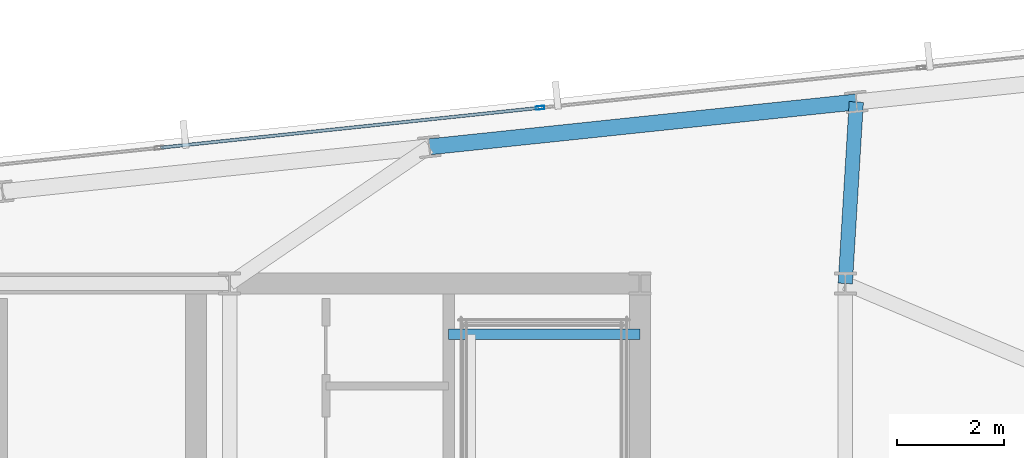
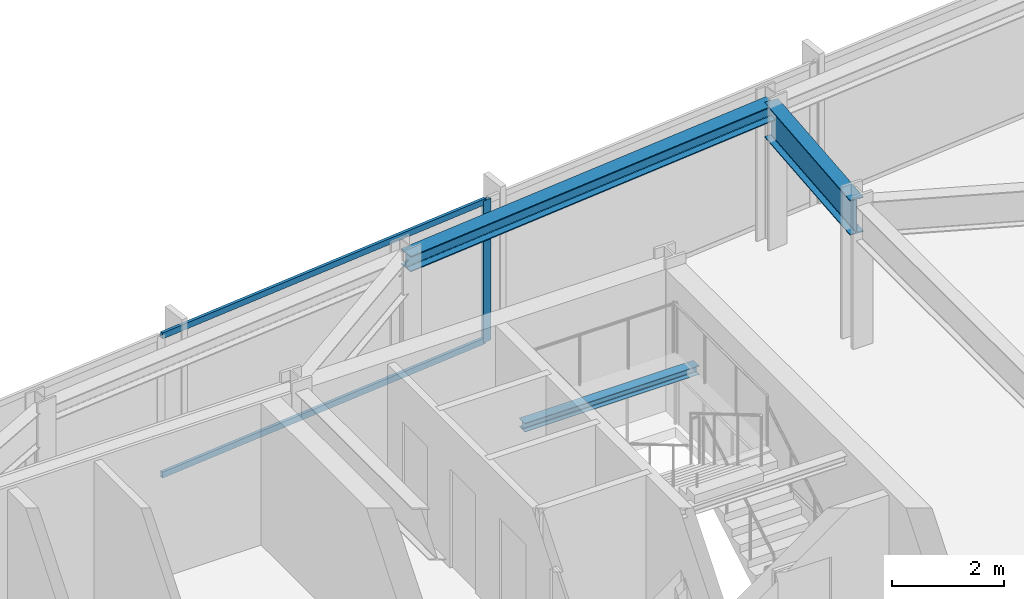
# One storey, part 23 of 33: 3 beams, 3 members, 1 element without a shape of its own.
"""IFC4 building model written with IfcOpenShell, lengths in metres."""

from ifc_helpers import new_model, si_unit, direction, frame, origin, origin_2d, place, context, subcontext, project, spatial, hollow_rectangle, i_section, extrude, material, material_profile, profile_set, type_object, element, aggregate, save


model = new_model("IFC4")

# Units and contexts
model_context = context("Model", 3, precision=1e-05, world=origin(), true_north=direction((0.0, 1.0)))
body_context = subcontext(model_context, "Body", "Model", "MODEL_VIEW")
ifc_project = project(units=[si_unit("LENGTHUNIT", "METRE"), si_unit("AREAUNIT", "SQUARE_METRE"), si_unit("VOLUMEUNIT", "CUBIC_METRE"), si_unit("PLANEANGLEUNIT", "RADIAN"), si_unit("MASSUNIT", "GRAM", prefix="KILO")], contexts=[model_context])

# Site, building, storey
site_placement = place(None, origin())
site = spatial("IfcSite", under=ifc_project, at=site_placement, CompositionType="ELEMENT")
building_placement = place(site_placement, origin())
building = spatial("IfcBuilding", under=site, at=building_placement, Name="Yelkora Congress Tower", CompositionType="ELEMENT")
storey_placement = place(building_placement, frame((0.0, 0.0, 227.60009765625)))
storey = spatial("IfcBuildingStorey", under=building, at=storey_placement, Name="L63", CompositionType="ELEMENT", Elevation=227.60009765625)

# Beams
ifc_material_1 = material(Name="Steel S355J2", Category="steel")
ifc_material_profile_1 = material_profile(ifc_material_1, i_section(OverallWidth=0.26708984375, OverallDepth=0.761962890625, WebThickness=0.014404296875, FlangeThickness=0.021484375, FilletRadius=0.01708984375, at=origin_2d()), Name="IPE 750x173")
ifc_profile_set_1 = profile_set([ifc_material_profile_1], Name="Steel S355J2")
beam_type_1 = type_object("IfcBeamType", Name="BM-GIRD-IPE750", PredefinedType="BEAM", material=ifc_profile_set_1)
beam_1_placement = place(storey_placement, frame((57.806640625, 49.5966796875, 2.698974609375), z_axis=(-0.060694337224, -0.998156399283, 0.0), x_axis=(0.998156399283, -0.060694337224, 0.0)))
element("IfcBeam", 1, at=beam_1_placement, inside=storey, type_object=beam_type_1, Name="L63 Primary Frame Girder N06", PredefinedType="BEAM", context=body_context, shape_type="SweptSolid", body=[
    extrude(i_section(OverallWidth=0.26708984375, OverallDepth=0.761962890625, WebThickness=0.014404296875, FlangeThickness=0.021484375, FilletRadius=0.01708984375, at=origin_2d()), origin(), (0.0, 0.0, 1.0), 3.403076171875),
])
ifc_material_profile_2 = material_profile(ifc_material_1, i_section(OverallWidth=0.199951171875, OverallDepth=0.18994140625, WebThickness=0.006591796875, FlangeThickness=0.010009765625, FilletRadius=0.01806640625, at=origin_2d()), Name="HEA 200")
ifc_profile_set_2 = profile_set([ifc_material_profile_2], Name="Steel S355J2")
beam_type_2 = type_object("IfcBeamType", Name="BM-LAND-HEA200", PredefinedType="BEAM", material=ifc_profile_set_2)
beam_2_placement = place(storey_placement, frame((50.179931640625, 45.25, 1.33447265625), z_axis=(1.0, 0.0, 0.0), x_axis=(0.0, 1.0, 0.0)))
element("IfcBeam", 2, at=beam_2_placement, inside=storey, type_object=beam_type_2, Name="ST-02 L63 Landing Header Beam 1N", PredefinedType="BEAM", context=body_context, shape_type="SweptSolid", body=[
    extrude(i_section(OverallWidth=0.199951171875, OverallDepth=0.18994140625, WebThickness=0.006591796875, FlangeThickness=0.010009765625, FilletRadius=0.01806640625, at=origin_2d()), origin(), (0.0, 0.0, 1.0), 3.580078125),
])
ifc_material_profile_3 = material_profile(ifc_material_1, i_section(OverallWidth=0.300048828125, OverallDepth=0.340087890625, WebThickness=0.011962890625, FlangeThickness=0.021484375, FilletRadius=0.027099609375, at=origin_2d()), Name="HEB 340")
ifc_profile_set_3 = profile_set([ifc_material_profile_3], Name="Steel S355J2")
beam_type_3 = type_object("IfcBeamType", Name="BM-SPAN-HEB340", PredefinedType="SPANDREL", material=ifc_profile_set_3)
beam_3_placement = place(storey_placement, frame((57.806640625, 49.5966796875, 2.909912109375), z_axis=(-0.994523256947, -0.104515507904, 0.0), x_axis=(0.104515507904, -0.994523256947, 0.0)))
element("IfcBeam", 3, at=beam_3_placement, inside=storey, type_object=beam_type_3, Name="L63 Perimeter Beam 14", PredefinedType="SPANDREL", context=body_context, shape_type="SweptSolid", body=[
    extrude(i_section(OverallWidth=0.300048828125, OverallDepth=0.340087890625, WebThickness=0.011962890625, FlangeThickness=0.021484375, FilletRadius=0.027099609375, at=origin_2d()), origin(), (0.0, 0.0, 1.0), 8.033203125),
])

# Curtain wall, members
ifc_material_2 = material(Name="Anodised aluminium and insulated glass", Category="aluminium")
curtain_wall_type = type_object("IfcCurtainWallType", Name="CW-SYS-B4", PredefinedType="NOTDEFINED", material=ifc_material_2)
curtain_wall_placement = place(storey_placement, origin())
curtain_wall = element("IfcCurtainWall", 4, at=curtain_wall_placement, inside=storey, type_object=curtain_wall_type, Name="L63 Unitised Curtain Wall 10 (3)", PredefinedType="NOTDEFINED")
ifc_material_3 = material(Name="Anodised aluminium 6063-T6", Category="aluminium")
ifc_material_profile_4 = material_profile(ifc_material_3, hollow_rectangle(XDim=0.06494140625, YDim=0.159912109375, WallThickness=0.00390625, at=origin_2d()), Name="ALU 65x160x4")
ifc_profile_set_4 = profile_set([ifc_material_profile_4], Name="Anodised aluminium 6063-T6")
member_type_1 = type_object("IfcMemberType", Name="MEM-ML-B4", PredefinedType="MULLION", material=ifc_profile_set_4)
member_1_placement = place(storey_placement, frame((51.888916015625, 49.487548828125, 0.0), z_axis=(0.0, 0.0, 1.0), x_axis=(-0.104527724021, 0.994521973066, 0.0)))
member_1 = element("IfcMember", 5, at=member_1_placement, type_object=member_type_1, Name="CW-B4 mullion 5", PredefinedType="MULLION", context=body_context, shape_type="SweptSolid", body=[
    extrude(hollow_rectangle(XDim=0.06494140625, YDim=0.159912109375, WallThickness=0.00390625, at=origin_2d()), origin(), (0.0, 0.0, 1.0), 3.079833984375),
])
ifc_material_profile_5 = material_profile(ifc_material_3, hollow_rectangle(XDim=0.06005859375, YDim=0.1298828125, WallThickness=0.00390625, at=origin_2d()), Name="ALU 60x130x4")
ifc_profile_set_5 = profile_set([ifc_material_profile_5], Name="Anodised aluminium 6063-T6")
member_type_2 = type_object("IfcMemberType", Name="MEM-TR-B4", PredefinedType="USERDEFINED", material=ifc_profile_set_5)
member_2_placement = place(storey_placement, frame((44.79052734375, 48.74169921875, 0.02978515625), z_axis=(0.99452200925, 0.104527379751, 0.0), x_axis=(-0.104527379751, 0.99452200925, 0.0)))
member_2 = element("IfcMember", 6, at=member_2_placement, type_object=member_type_2, Name="CW-B4 transom 4.1", ObjectType="TRANSOM", PredefinedType="USERDEFINED", context=body_context, shape_type="SweptSolid", body=[
    extrude(hollow_rectangle(XDim=0.06005859375, YDim=0.1298828125, WallThickness=0.00390625, at=origin_2d()), origin(), (0.0, 0.0, 1.0), 7.10498046875),
])
member_3_placement = place(storey_placement, frame((44.79052734375, 48.74169921875, 3.0498046875), z_axis=(0.99452200925, 0.104527379751, 0.0), x_axis=(-0.104527379751, 0.99452200925, 0.0)))
member_3 = element("IfcMember", 7, at=member_3_placement, type_object=member_type_2, Name="CW-B4 transom 4.2", ObjectType="TRANSOM", PredefinedType="USERDEFINED", context=body_context, shape_type="SweptSolid", body=[
    extrude(hollow_rectangle(XDim=0.06005859375, YDim=0.1298828125, WallThickness=0.00390625, at=origin_2d()), origin(), (0.0, 0.0, 1.0), 7.10498046875),
])
aggregate(curtain_wall, [member_1, member_2, member_3])

save(model, "model.ifc")
